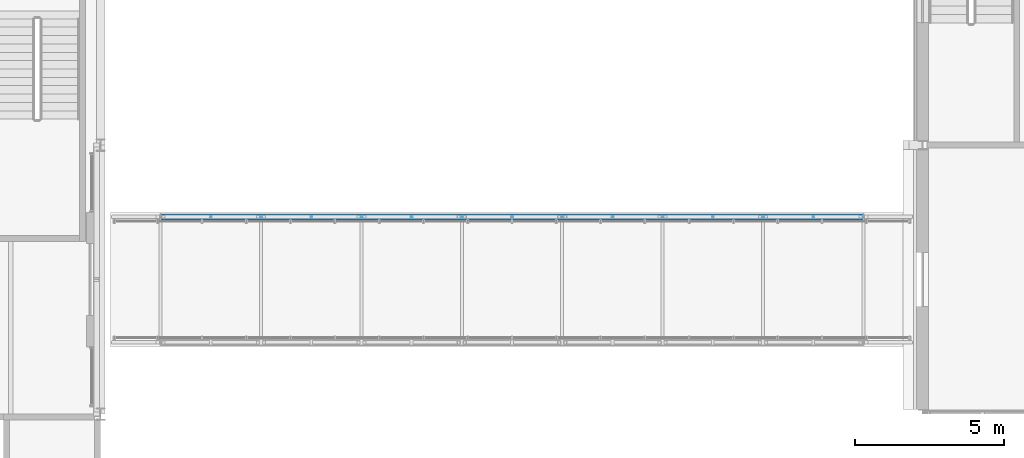
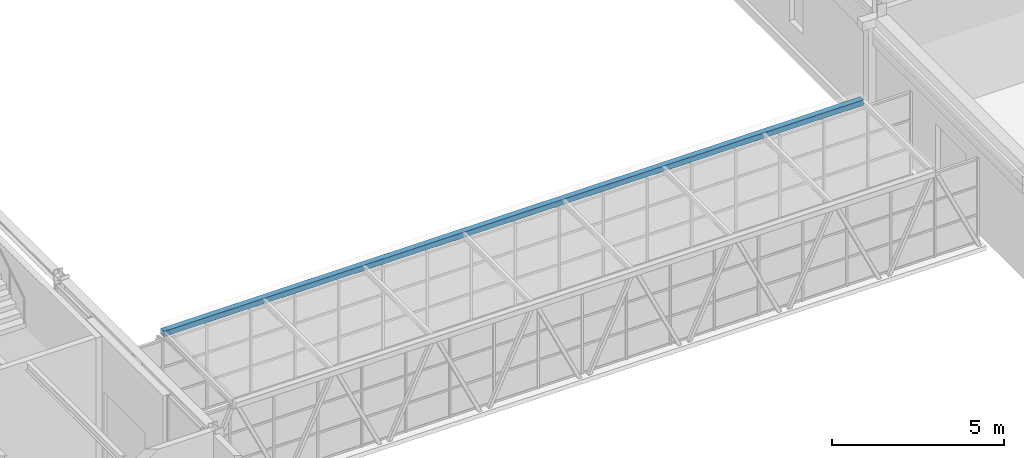
# One storey, part 57 of 149: 1 member.
"""IFC4 building model written with IfcOpenShell, lengths in metres."""

from ifc_helpers import new_model, si_unit, direction, frame, origin, origin_2d, place, context, subcontext, project, spatial, hollow_rectangle, extrude, material, material_profile, profile_set, type_object, element, save


model = new_model("IFC4")

# Units and contexts
model_context = context("Model", 3, precision=1e-05, world=origin(), true_north=direction((0.0, 1.0)))
body_context = subcontext(model_context, "Body", "Model", "MODEL_VIEW")
ifc_project = project(units=[si_unit("LENGTHUNIT", "METRE"), si_unit("AREAUNIT", "SQUARE_METRE"), si_unit("VOLUMEUNIT", "CUBIC_METRE"), si_unit("PLANEANGLEUNIT", "RADIAN"), si_unit("MASSUNIT", "GRAM", prefix="KILO")], contexts=[model_context])

# Site, building, storey
site_placement = place(None, origin())
site = spatial("IfcSite", under=ifc_project, at=site_placement, CompositionType="ELEMENT")
building_placement = place(site_placement, origin())
building = spatial("IfcBuilding", under=site, at=building_placement, Name="Kallimachos Central Library", CompositionType="ELEMENT")
storey_placement = place(building_placement, frame((0.0, 0.0, 9.89990234375)))
storey = spatial("IfcBuildingStorey", under=building, at=storey_placement, Name="L02", CompositionType="ELEMENT", Elevation=9.89990234375)

# Member
ifc_material = material(Name="Steel S355J2H", Category="steel")
ifc_material_profile = material_profile(ifc_material, hollow_rectangle(XDim=0.199951171875, YDim=0.199951171875, WallThickness=0.010009765625, InnerFilletRadius=0.010009765625, OuterFilletRadius=0.014892578125, at=origin_2d()), Name="SHS 200x200x10")
ifc_profile_set = profile_set([ifc_material_profile], Name="Steel S355J2H")
member_type = type_object("IfcMemberType", Name="SHS 200x200x10 chord", PredefinedType="CHORD", material=ifc_profile_set)
member_placement = place(storey_placement, frame((112.504638671875, 102.60009765625, 3.10009765625), z_axis=(1.0, 0.0, 0.0), x_axis=(0.0, 1.0, 0.0)))
element("IfcMember", 1, at=member_placement, inside=storey, type_object=member_type, Name="links-MEM-L02-052", PredefinedType="CHORD", context=body_context, shape_type="SweptSolid", body=[
    extrude(hollow_rectangle(XDim=0.199951171875, YDim=0.199951171875, WallThickness=0.010009765625, InnerFilletRadius=0.010009765625, OuterFilletRadius=0.014892578125, at=origin_2d()), origin(), (0.0, 0.0, 1.0), 23.515625),
])

save(model, "model.ifc")
